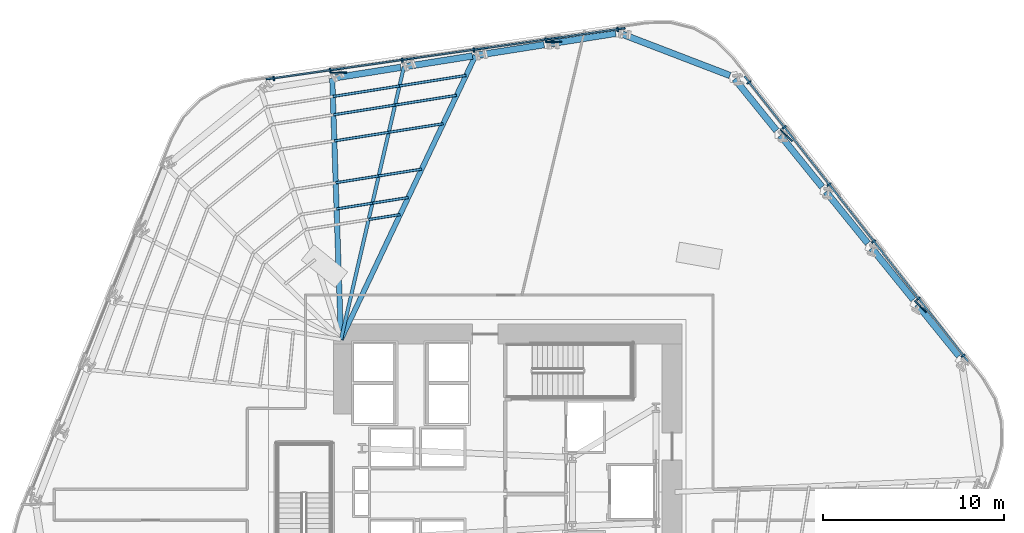
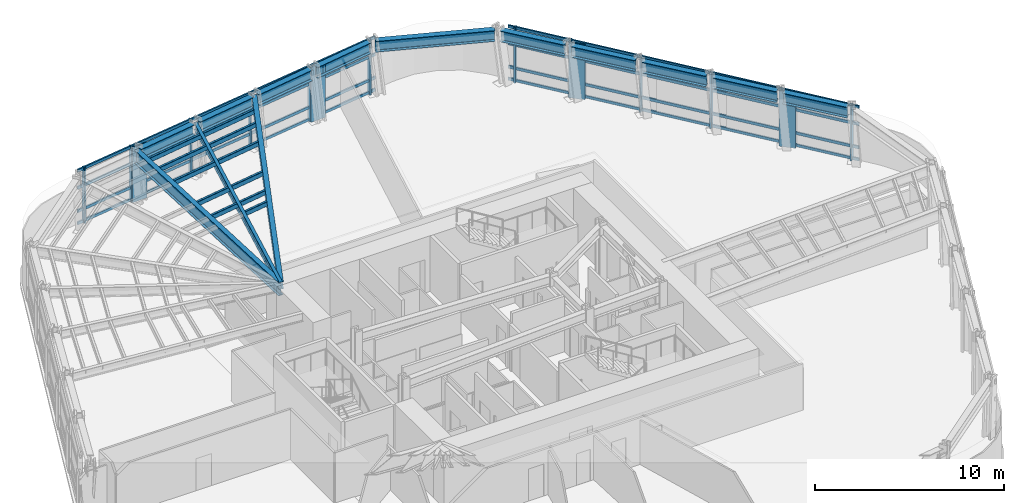
# One storey, part 6 of 16: 35 members, 13 beams, 2 elements without a shape of their own.
"""IFC4 building model written with IfcOpenShell, lengths in metres."""

from ifc_helpers import new_model, si_unit, direction, frame, origin, origin_2d, place, context, subcontext, project, spatial, rectangle, hollow_rectangle, i_section, extrude, material, layer, layer_set, material_profile, profile_set, type_object, element, aggregate, save


model = new_model("IFC4")

# Units and contexts
model_context = context("Model", 3, precision=1e-05, world=origin(), true_north=direction((0.0, 1.0)))
body_context = subcontext(model_context, "Body", "Model", "MODEL_VIEW")
ifc_project = project(units=[si_unit("LENGTHUNIT", "METRE"), si_unit("AREAUNIT", "SQUARE_METRE"), si_unit("VOLUMEUNIT", "CUBIC_METRE"), si_unit("PLANEANGLEUNIT", "RADIAN"), si_unit("MASSUNIT", "GRAM", prefix="KILO")], contexts=[model_context])

# Site, building, storey
site_placement = place(None, origin())
site = spatial("IfcSite", under=ifc_project, at=site_placement, CompositionType="ELEMENT")
building_placement = place(site_placement, origin())
building = spatial("IfcBuilding", under=site, at=building_placement, Name="Valkerne Bourse Tower", CompositionType="ELEMENT")
storey_placement = place(building_placement, frame((0.0, 0.0, 58.199951171875)))
storey = spatial("IfcBuildingStorey", under=building, at=storey_placement, Name="L14", CompositionType="ELEMENT", Elevation=58.199951171875)

# Beams
ifc_material_1 = material(Name="Steel ASTM A992", Category="steel")
ifc_material_profile_1 = material_profile(ifc_material_1, i_section(OverallWidth=0.1904296875, OverallDepth=0.457275390625, WebThickness=0.009033203125, FlangeThickness=0.014404296875, FilletRadius=0.01513671875, at=origin_2d()), Name="W18X50")
ifc_profile_set_1 = profile_set([ifc_material_profile_1], Name="Steel ASTM A992")
beam_type_1 = type_object("IfcBeamType", Name="BM-W18X50", PredefinedType="JOIST", material=ifc_profile_set_1)
beam_1_placement = place(storey_placement, frame((41.067138671875, 50.423828125, 3.3515625), z_axis=(-0.224858350284, -0.974391462559, 0.0), x_axis=(0.974391462559, -0.224858350284, 0.0)))
element("IfcBeam", 1, at=beam_1_placement, inside=storey, type_object=beam_type_1, Name="L14 Radial Composite Floor Beam 09", PredefinedType="JOIST", context=body_context, shape_type="SweptSolid", body=[
    extrude(i_section(OverallWidth=0.1904296875, OverallDepth=0.457275390625, WebThickness=0.009033203125, FlangeThickness=0.014404296875, FilletRadius=0.01513671875, at=origin_2d()), origin(), (0.0, 0.0, 1.0), 15.418701171875),
])
ifc_material_profile_2 = material_profile(ifc_material_1, i_section(OverallWidth=0.279296875, OverallDepth=0.46240234375, WebThickness=0.0107421875, FlangeThickness=0.017333984375, FilletRadius=0.017822265625, at=origin_2d()), Name="W18X76")
ifc_profile_set_2 = profile_set([ifc_material_profile_2], Name="Steel ASTM A992")
beam_type_2 = type_object("IfcBeamType", Name="BM-W18X76", PredefinedType="BEAM", material=ifc_profile_set_2)
beam_2_placement = place(storey_placement, frame((45.013916015625, 51.048828125, 3.348876953125), z_axis=(-0.428141495547, -0.903711712766, 0.0), x_axis=(0.903711712766, -0.428141495547, 0.0)))
element("IfcBeam", 2, at=beam_2_placement, inside=storey, type_object=beam_type_2, Name="L14 Radial Composite Floor Beam 08", PredefinedType="BEAM", context=body_context, shape_type="SweptSolid", body=[
    extrude(i_section(OverallWidth=0.279296875, OverallDepth=0.46240234375, WebThickness=0.0107421875, FlangeThickness=0.017333984375, FilletRadius=0.017822265625, at=origin_2d()), origin(), (0.0, 0.0, 1.0), 17.316162109375),
])
ifc_material_profile_3 = material_profile(ifc_material_1, i_section(OverallWidth=0.358154296875, OverallDepth=0.7060546875, WebThickness=0.018310546875, FlangeThickness=0.0302734375, FilletRadius=0.02294921875, at=origin_2d()), Name="W27X178")
ifc_profile_set_3 = profile_set([ifc_material_profile_3], Name="Steel ASTM A992")
beam_type_3 = type_object("IfcBeamType", Name="BM-W27X178", PredefinedType="SPANDREL", material=ifc_profile_set_3)
beam_3_placement = place(storey_placement, frame((71.656494140625, 34.492431640625, 3.22705078125), z_axis=(-0.629342299729, 0.777128219647, 0.0), x_axis=(-0.777128219647, -0.629342299729, 0.0)))
element("IfcBeam", 3, at=beam_3_placement, inside=storey, type_object=beam_type_3, Name="L14 Hexagonal Spandrel Ring Beam 00", PredefinedType="SPANDREL", context=body_context, shape_type="SweptSolid", body=[
    extrude(i_section(OverallWidth=0.358154296875, OverallDepth=0.7060546875, WebThickness=0.018310546875, FlangeThickness=0.0302734375, FilletRadius=0.02294921875, at=origin_2d()), origin(), (0.0, 0.0, 1.0), 3.65576171875),
])
for number, where, z_axis, x_axis, name in (
    (4, (69.1416015625, 37.597900390625, 3.22705078125), (-0.629309639735, 0.777154667577, 0.0), (-0.777154667577, -0.629309639735, 0.0), "L14 Hexagonal Spandrel Ring Beam 01"),
    (5, (66.626953125, 40.703369140625, 3.22705078125), (-0.629309639735, 0.777154667577, 0.0), (-0.777154667577, -0.629309639735, 0.0), "L14 Hexagonal Spandrel Ring Beam 02"),
    (6, (64.112060546875, 43.808837890625, 3.22705078125), (-0.629309639735, 0.777154667577, 0.0), (-0.777154667577, -0.629309639735, 0.0), "L14 Hexagonal Spandrel Ring Beam 03"),
    (7, (61.597412109375, 46.914306640625, 3.22705078125), (-0.629309639735, 0.777154667577, 0.0), (-0.777154667577, -0.629309639735, 0.0), "L14 Hexagonal Spandrel Ring Beam 04"),
):
    element("IfcBeam", number, at=place(storey_placement, frame(where, z_axis=z_axis, x_axis=x_axis)), inside=storey, type_object=beam_type_3, Name=name, PredefinedType="SPANDREL", context=body_context, shape_type="SweptSolid", body=[
        extrude(i_section(OverallWidth=0.358154296875, OverallDepth=0.7060546875, WebThickness=0.018310546875, FlangeThickness=0.0302734375, FilletRadius=0.02294921875, at=origin_2d()), origin(), (0.0, 0.0, 1.0), 3.656005859375),
    ])
beam_4_placement = place(storey_placement, frame((59.031005859375, 49.948486328125, 3.22705078125), z_axis=(-0.933574879404, 0.358382399883, 0.0), x_axis=(-0.358382399883, -0.933574879404, 0.0)))
element("IfcBeam", 8, at=beam_4_placement, inside=storey, type_object=beam_type_3, Name="L14 Hexagonal Spandrel Ring Beam 05", PredefinedType="SPANDREL", context=body_context, shape_type="SweptSolid", body=[
    extrude(i_section(OverallWidth=0.358154296875, OverallDepth=0.7060546875, WebThickness=0.018310546875, FlangeThickness=0.0302734375, FilletRadius=0.02294921875, at=origin_2d()), origin(), (0.0, 0.0, 1.0), 6.38916015625),
])
for number, where, z_axis, x_axis, name in (
    (9, (52.739501953125, 52.2724609375, 3.22705078125), (-0.987693559768, -0.156401508923, 0.0), (0.156401508923, -0.987693559768, 0.0), "L14 Hexagonal Spandrel Ring Beam 06"),
    (10, (48.792724609375, 51.6474609375, 3.22705078125), (-0.987683241587, -0.156466655513, 0.0), (0.156466655513, -0.987683241587, 0.0), "L14 Hexagonal Spandrel Ring Beam 07"),
    (11, (44.845947265625, 51.022216796875, 3.22705078125), (-0.987693559768, -0.156401508923, 0.0), (0.156401508923, -0.987693559768, 0.0), "L14 Hexagonal Spandrel Ring Beam 08"),
):
    element("IfcBeam", number, at=place(storey_placement, frame(where, z_axis=z_axis, x_axis=x_axis)), inside=storey, type_object=beam_type_3, Name=name, PredefinedType="SPANDREL", context=body_context, shape_type="SweptSolid", body=[
        extrude(i_section(OverallWidth=0.358154296875, OverallDepth=0.7060546875, WebThickness=0.018310546875, FlangeThickness=0.0302734375, FilletRadius=0.02294921875, at=origin_2d()), origin(), (0.0, 0.0, 1.0), 3.65576171875),
    ])
beam_5_placement = place(storey_placement, frame((40.899169921875, 50.397216796875, 3.22705078125), z_axis=(-0.987684876333, -0.156456335964, 0.0), x_axis=(0.156456335964, -0.987684876333, 0.0)))
element("IfcBeam", 12, at=beam_5_placement, inside=storey, type_object=beam_type_3, Name="L14 Hexagonal Spandrel Ring Beam 09", PredefinedType="SPANDREL", context=body_context, shape_type="SweptSolid", body=[
    extrude(i_section(OverallWidth=0.358154296875, OverallDepth=0.7060546875, WebThickness=0.018310546875, FlangeThickness=0.0302734375, FilletRadius=0.02294921875, at=origin_2d()), origin(), (0.0, 0.0, 1.0), 3.656005859375),
])
ifc_material_profile_4 = material_profile(ifc_material_1, i_section(OverallWidth=0.2919921875, OverallDepth=0.8583984375, WebThickness=0.01708984375, FlangeThickness=0.031005859375, FilletRadius=0.025390625, at=origin_2d()), Name="W33X169")
ifc_profile_set_4 = profile_set([ifc_material_profile_4], Name="Steel ASTM A992")
beam_type_4 = type_object("IfcBeamType", Name="BM-W33X169", PredefinedType="BEAM", material=ifc_profile_set_4)
beam_6_placement = place(storey_placement, frame((37.120361328125, 49.798583984375, 3.150634765625), z_axis=(0.033299595433, -0.99944541469, 0.0), x_axis=(0.99944541469, 0.033299595433, 0.0)))
element("IfcBeam", 13, at=beam_6_placement, inside=storey, type_object=beam_type_4, Name="L14 Radial Composite Floor Beam 10", PredefinedType="BEAM", context=body_context, shape_type="SweptSolid", body=[
    extrude(i_section(OverallWidth=0.2919921875, OverallDepth=0.8583984375, WebThickness=0.01708984375, FlangeThickness=0.031005859375, FilletRadius=0.025390625, at=origin_2d()), origin(), (0.0, 0.0, 1.0), 14.40673828125),
])

# Curtain wall, members
ifc_material_2 = material(Name="Aluminium AA 6063-T6", Category="aluminium")
ifc_layer = layer(ifc_material_2, 0.22509765625)
ifc_layer_set = layer_set([ifc_layer], Name="Aluminium AA 6063-T6")
curtain_wall_type = type_object("IfcCurtainWallType", Name="CW-01", PredefinedType="NOTDEFINED", material=ifc_layer_set)
curtain_wall_1_placement = place(storey_placement, origin())
curtain_wall_1 = element("IfcCurtainWall", 14, at=curtain_wall_1_placement, inside=storey, type_object=curtain_wall_type, Name="L14 Hexagonal Stick Curtain Wall Face 1", PredefinedType="NOTDEFINED")
ifc_material_profile_5 = material_profile(ifc_material_2, rectangle(XDim=0.090087890625, YDim=0.239990234375, at=origin_2d()), Name="CWM-90X240")
ifc_profile_set_5 = profile_set([ifc_material_profile_5], Name="Aluminium AA 6063-T6")
member_type_1 = type_object("IfcMemberType", Name="CW-MUL-240X90", PredefinedType="MULLION", material=ifc_profile_set_5)
member_1_placement = place(storey_placement, frame((71.884521484375, 34.507568359375, 0.0), z_axis=(0.0, 0.0, 1.0), x_axis=(-0.617050915686, 0.786923228435, 0.0)))
member_1 = element("IfcMember", 15, at=member_1_placement, type_object=member_type_1, Name="CW-L14-F1 Jamb Mullion 00A", PredefinedType="MULLION", context=body_context, shape_type="SweptSolid", body=[
    extrude(rectangle(XDim=0.090087890625, YDim=0.239990234375, at=origin_2d()), origin(), (0.0, 0.0, 1.0), 3.580078125),
])
member_2_placement = place(storey_placement, frame((69.418701171875, 37.652099609375, 0.0), z_axis=(0.0, 0.0, 1.0), x_axis=(-0.617038764225, 0.786932756621, 0.0)))
member_2 = element("IfcMember", 16, at=member_2_placement, type_object=member_type_1, Name="CW-L14-F1 Jamb Mullion 01A", PredefinedType="MULLION", context=body_context, shape_type="SweptSolid", body=[
    extrude(rectangle(XDim=0.090087890625, YDim=0.239990234375, at=origin_2d()), origin(), (0.0, 0.0, 1.0), 3.580078125),
])
member_3_placement = place(storey_placement, frame((66.952880859375, 40.796630859375, 0.0), z_axis=(0.0, 0.0, 1.0), x_axis=(-0.617038764225, 0.786932756621, 0.0)))
member_3 = element("IfcMember", 17, at=member_3_placement, type_object=member_type_1, Name="CW-L14-F1 Jamb Mullion 02A", PredefinedType="MULLION", context=body_context, shape_type="SweptSolid", body=[
    extrude(rectangle(XDim=0.090087890625, YDim=0.239990234375, at=origin_2d()), origin(), (0.0, 0.0, 1.0), 3.580078125),
])
member_4_placement = place(storey_placement, frame((64.4873046875, 43.94140625, 0.0), z_axis=(0.0, 0.0, 1.0), x_axis=(-0.617023266871, 0.786944907945, 0.0)))
member_4 = element("IfcMember", 18, at=member_4_placement, type_object=member_type_1, Name="CW-L14-F1 Jamb Mullion 03A", PredefinedType="MULLION", context=body_context, shape_type="SweptSolid", body=[
    extrude(rectangle(XDim=0.090087890625, YDim=0.239990234375, at=origin_2d()), origin(), (0.0, 0.0, 1.0), 3.580078125),
])
member_5_placement = place(storey_placement, frame((62.021728515625, 47.0859375, 0.0), z_axis=(0.0, 0.0, 1.0), x_axis=(-0.617038764225, 0.786932756621, 0.0)))
member_5 = element("IfcMember", 19, at=member_5_placement, type_object=member_type_1, Name="CW-L14-F1 Jamb Mullion 04A", PredefinedType="MULLION", context=body_context, shape_type="SweptSolid", body=[
    extrude(rectangle(XDim=0.090087890625, YDim=0.239990234375, at=origin_2d()), origin(), (0.0, 0.0, 1.0), 3.580078125),
])
member_6_placement = place(storey_placement, frame((60.07421875, 49.569580078125, 0.0), z_axis=(0.0, 0.0, 1.0), x_axis=(-0.617038764225, 0.786932756621, 0.0)))
member_6 = element("IfcMember", 20, at=member_6_placement, type_object=member_type_1, Name="CW-L14-F1 Jamb Mullion 04B", PredefinedType="MULLION", context=body_context, shape_type="SweptSolid", body=[
    extrude(rectangle(XDim=0.090087890625, YDim=0.239990234375, at=origin_2d()), origin(), (0.0, 0.0, 1.0), 3.580078125),
])

curtain_wall_2_placement = place(storey_placement, origin())
curtain_wall_2 = element("IfcCurtainWall", 21, at=curtain_wall_2_placement, inside=storey, type_object=curtain_wall_type, Name="L14 Hexagonal Stick Curtain Wall Face 2", PredefinedType="NOTDEFINED")
member_7_placement = place(storey_placement, frame((52.840576171875, 52.4775390625, 0.0), z_axis=(0.0, 0.0, 1.0), x_axis=(-0.990021934564, -0.140913338908, 0.0)))
member_7 = element("IfcMember", 22, at=member_7_placement, type_object=member_type_1, Name="CW-L14-F2 Jamb Mullion 00A", PredefinedType="MULLION", context=body_context, shape_type="SweptSolid", body=[
    extrude(rectangle(XDim=0.090087890625, YDim=0.239990234375, at=origin_2d()), origin(), (0.0, 0.0, 1.0), 3.580078125),
])
member_8_placement = place(storey_placement, frame((48.88427734375, 51.914306640625, 0.0), z_axis=(0.0, 0.0, 1.0), x_axis=(-0.990024928635, -0.14089230171, 0.0)))
member_8 = element("IfcMember", 23, at=member_8_placement, type_object=member_type_1, Name="CW-L14-F2 Jamb Mullion 01A", PredefinedType="MULLION", context=body_context, shape_type="SweptSolid", body=[
    extrude(rectangle(XDim=0.090087890625, YDim=0.239990234375, at=origin_2d()), origin(), (0.0, 0.0, 1.0), 3.580078125),
])
member_9_placement = place(storey_placement, frame((44.92822265625, 51.351318359375, 0.0), z_axis=(0.0, 0.0, 1.0), x_axis=(-0.990021437646, -0.140916830088, 0.0)))
member_9 = element("IfcMember", 24, at=member_9_placement, type_object=member_type_1, Name="CW-L14-F2 Jamb Mullion 02A", PredefinedType="MULLION", context=body_context, shape_type="SweptSolid", body=[
    extrude(rectangle(XDim=0.090087890625, YDim=0.239990234375, at=origin_2d()), origin(), (0.0, 0.0, 1.0), 3.580078125),
])
member_10_placement = place(storey_placement, frame((40.97216796875, 50.788330078125, 0.0), z_axis=(0.0, 0.0, 1.0), x_axis=(-0.990025425383, -0.140888811104, 0.0)))
member_10 = element("IfcMember", 25, at=member_10_placement, type_object=member_type_1, Name="CW-L14-F2 Jamb Mullion 03A", PredefinedType="MULLION", context=body_context, shape_type="SweptSolid", body=[
    extrude(rectangle(XDim=0.090087890625, YDim=0.239990234375, at=origin_2d()), origin(), (0.0, 0.0, 1.0), 3.580078125),
])
member_11_placement = place(storey_placement, frame((37.015869140625, 50.225341796875, 0.0), z_axis=(0.0, 0.0, 1.0), x_axis=(-0.990021437646, -0.140916830088, 0.0)))
member_11 = element("IfcMember", 26, at=member_11_placement, type_object=member_type_1, Name="CW-L14-F2 Jamb Mullion 04A", PredefinedType="MULLION", context=body_context, shape_type="SweptSolid", body=[
    extrude(rectangle(XDim=0.090087890625, YDim=0.239990234375, at=origin_2d()), origin(), (0.0, 0.0, 1.0), 3.580078125),
])
member_12_placement = place(storey_placement, frame((33.891357421875, 49.780517578125, 0.0), z_axis=(0.0, 0.0, 1.0), x_axis=(-0.990021437646, -0.140916830088, 0.0)))
member_12 = element("IfcMember", 27, at=member_12_placement, type_object=member_type_1, Name="CW-L14-F2 Jamb Mullion 04B", PredefinedType="MULLION", context=body_context, shape_type="SweptSolid", body=[
    extrude(rectangle(XDim=0.090087890625, YDim=0.239990234375, at=origin_2d()), origin(), (0.0, 0.0, 1.0), 3.580078125),
])

# Member
ifc_material_profile_6 = material_profile(ifc_material_2, rectangle(XDim=0.090087890625, YDim=0.179931640625, at=origin_2d()), Name="CWT-90X180")
ifc_profile_set_6 = profile_set([ifc_material_profile_6], Name="Aluminium AA 6063-T6")
member_type_2 = type_object("IfcMemberType", Name="CW-TRN-180X90", PredefinedType="USERDEFINED", material=ifc_profile_set_6)
member_13_placement = place(storey_placement, frame((72.1591796875, 34.189453125, 0.1201171875), z_axis=(-0.617037129125, 0.786934038711, 0.0), x_axis=(-0.786934038711, -0.617037129125, 0.0)))
member_13 = element("IfcMember", 28, at=member_13_placement, type_object=member_type_2, Name="CW-L14-F1 Continuous Face Transom 1", ObjectType="TRANSOM", PredefinedType="USERDEFINED", context=body_context, shape_type="SweptSolid", body=[
    extrude(rectangle(XDim=0.090087890625, YDim=0.179931640625, at=origin_2d()), origin(), (0.0, 0.0, 1.0), 19.97998046875),
])

member_14_placement = place(storey_placement, frame((72.1591796875, 34.189453125, 0.900146484375), z_axis=(-0.617037129125, 0.786934038711, 0.0), x_axis=(-0.786934038711, -0.617037129125, 0.0)))
member_14 = element("IfcMember", 29, at=member_14_placement, type_object=member_type_2, Name="CW-L14-F1 Continuous Face Transom 2", ObjectType="TRANSOM", PredefinedType="USERDEFINED", context=body_context, shape_type="SweptSolid", body=[
    extrude(rectangle(XDim=0.090087890625, YDim=0.179931640625, at=origin_2d()), origin(), (0.0, 0.0, 1.0), 19.97998046875),
])

member_15_placement = place(storey_placement, frame((72.1591796875, 34.189453125, 2.400146484375), z_axis=(-0.617037129125, 0.786934038711, 0.0), x_axis=(-0.786934038711, -0.617037129125, 0.0)))
member_15 = element("IfcMember", 30, at=member_15_placement, type_object=member_type_2, Name="CW-L14-F1 Continuous Face Transom 3", ObjectType="TRANSOM", PredefinedType="USERDEFINED", context=body_context, shape_type="SweptSolid", body=[
    extrude(rectangle(XDim=0.090087890625, YDim=0.179931640625, at=origin_2d()), origin(), (0.0, 0.0, 1.0), 19.97998046875),
])

member_16_placement = place(storey_placement, frame((72.1591796875, 34.189453125, 3.5), z_axis=(-0.617037129125, 0.786934038711, 0.0), x_axis=(-0.786934038711, -0.617037129125, 0.0)))
member_16 = element("IfcMember", 31, at=member_16_placement, type_object=member_type_2, Name="CW-L14-F1 Continuous Face Transom 4", ObjectType="TRANSOM", PredefinedType="USERDEFINED", context=body_context, shape_type="SweptSolid", body=[
    extrude(rectangle(XDim=0.090087890625, YDim=0.179931640625, at=origin_2d()), origin(), (0.0, 0.0, 1.0), 19.97998046875),
])

aggregate(curtain_wall_1, [member_13, member_14, member_15, member_16, member_1, member_2, member_3, member_4, member_5, member_6])

member_17_placement = place(storey_placement, frame((53.25341796875, 52.556396484375, 0.1201171875), z_axis=(-0.990023650685, -0.140901281347, 0.0), x_axis=(0.140901281347, -0.990023650685, 0.0)))
member_17 = element("IfcMember", 32, at=member_17_placement, type_object=member_type_2, Name="CW-L14-F2 Continuous Face Transom 1", ObjectType="TRANSOM", PredefinedType="USERDEFINED", context=body_context, shape_type="SweptSolid", body=[
    extrude(rectangle(XDim=0.090087890625, YDim=0.179931640625, at=origin_2d()), origin(), (0.0, 0.0, 1.0), 19.979736328125),
])

member_18_placement = place(storey_placement, frame((53.25341796875, 52.556396484375, 0.900146484375), z_axis=(-0.990023650685, -0.140901281347, 0.0), x_axis=(0.140901281347, -0.990023650685, 0.0)))
member_18 = element("IfcMember", 33, at=member_18_placement, type_object=member_type_2, Name="CW-L14-F2 Continuous Face Transom 2", ObjectType="TRANSOM", PredefinedType="USERDEFINED", context=body_context, shape_type="SweptSolid", body=[
    extrude(rectangle(XDim=0.090087890625, YDim=0.179931640625, at=origin_2d()), origin(), (0.0, 0.0, 1.0), 19.979736328125),
])

member_19_placement = place(storey_placement, frame((53.25341796875, 52.556396484375, 2.400146484375), z_axis=(-0.990023650685, -0.140901281347, 0.0), x_axis=(0.140901281347, -0.990023650685, 0.0)))
member_19 = element("IfcMember", 34, at=member_19_placement, type_object=member_type_2, Name="CW-L14-F2 Continuous Face Transom 3", ObjectType="TRANSOM", PredefinedType="USERDEFINED", context=body_context, shape_type="SweptSolid", body=[
    extrude(rectangle(XDim=0.090087890625, YDim=0.179931640625, at=origin_2d()), origin(), (0.0, 0.0, 1.0), 19.979736328125),
])

member_20_placement = place(storey_placement, frame((53.25341796875, 52.556396484375, 3.5), z_axis=(-0.990023650685, -0.140901281347, 0.0), x_axis=(0.140901281347, -0.990023650685, 0.0)))
member_20 = element("IfcMember", 35, at=member_20_placement, type_object=member_type_2, Name="CW-L14-F2 Continuous Face Transom 4", ObjectType="TRANSOM", PredefinedType="USERDEFINED", context=body_context, shape_type="SweptSolid", body=[
    extrude(rectangle(XDim=0.090087890625, YDim=0.179931640625, at=origin_2d()), origin(), (0.0, 0.0, 1.0), 19.979736328125),
])

aggregate(curtain_wall_2, [member_17, member_18, member_19, member_20, member_7, member_8, member_9, member_10, member_11, member_12])

# Members
ifc_material_3 = material(Name="Bronze Anodised Aluminium AA 6063-T6", Category="aluminium")
ifc_material_profile_7 = material_profile(ifc_material_3, rectangle(XDim=0.070068359375, YDim=0.89990234375, at=origin_2d()), Name="FIN-70X900")
ifc_profile_set_7 = profile_set([ifc_material_profile_7], Name="Bronze Anodised Aluminium AA 6063-T6")
member_type_3 = type_object("IfcMemberType", Name="FIN-SOLAR-900", PredefinedType="USERDEFINED", material=ifc_profile_set_7)
for number, where, z_axis, x_axis, name in (
    (36, (69.5361328125, 37.21044921875, 0.004150390625), (0.0, 0.0, 1.0), (0.703521928101, 0.710673551415, 0.0), "L14 Bronze Anodised Solar Fin F1-01"),
    (37, (62.13916015625, 46.644287109375, 0.004150390625), (0.0, 0.0, 1.0), (0.703521928101, 0.710673551415, 0.0), "L14 Bronze Anodised Solar Fin F1-04"),
    (38, (49.325439453125, 51.79541015625, 0.004150390625), (0.0, 0.0, 1.0), (-0.022528517745, 0.999746200737, 0.0), "L14 Bronze Anodised Solar Fin F2-01"),
    (39, (37.45703125, 50.106201171875, 0.004150390625), (0.0, 0.0, 1.0), (-0.022547998716, 0.999745761558, 0.0), "L14 Bronze Anodised Solar Fin F2-04"),
):
    element("IfcMember", number, at=place(storey_placement, frame(where, z_axis=z_axis, x_axis=x_axis)), inside=storey, type_object=member_type_3, Name=name, ObjectType="SOLAR_FIN", PredefinedType="USERDEFINED", context=body_context, shape_type="SweptSolid", body=[
        extrude(rectangle(XDim=0.070068359375, YDim=0.89990234375, at=origin_2d()), origin(), (0.0, 0.0, 1.0), 3.57177734375),
    ])
ifc_material_4 = material(Name="Steel ASTM A500 Grade C", Category="steel")
ifc_material_profile_8 = material_profile(ifc_material_4, hollow_rectangle(XDim=0.14990234375, YDim=0.300048828125, WallThickness=0.012451171875, OuterFilletRadius=0.02490234375, at=origin_2d()), Name="HSS300X150X12.5")
ifc_profile_set_8 = profile_set([ifc_material_profile_8], Name="Steel ASTM A500 Grade C")
member_type_4 = type_object("IfcMemberType", Name="MBR-HSS300X150X12.5", PredefinedType="PURLIN", material=ifc_profile_set_8)
member_21_placement = place(storey_placement, frame((40.862060546875, 42.285400390625, 3.420166015625), z_axis=(-0.98770096406, -0.156354742799, 0.0), x_axis=(0.156354742799, -0.98770096406, 0.0)))
element("IfcMember", 40, at=member_21_placement, inside=storey, type_object=member_type_4, Name="L14 Secondary Composite Floor Purlin K-08", PredefinedType="PURLIN", context=body_context, shape_type="SweptSolid", body=[
    extrude(hollow_rectangle(XDim=0.14990234375, YDim=0.300048828125, WallThickness=0.012451171875, OuterFilletRadius=0.02490234375, at=origin_2d()), origin(), (0.0, 0.0, 1.0), 1.75830078125),
])
for number, where, z_axis, x_axis, name in (
    (41, (41.306884765625, 43.224609375, 3.420166015625), (-0.987673637151, -0.156527270715, 0.0), (0.156527270715, -0.987673637151, 0.0), "L14 Secondary Composite Floor Purlin M-08"),
    (42, (39.33349609375, 42.911865234375, 3.420166015625), (-0.987692520858, -0.156408069615, 0.0), (0.156408069615, -0.987692520858, 0.0), "L14 Secondary Composite Floor Purlin M-09"),
):
    element("IfcMember", number, at=place(storey_placement, frame(where, z_axis=z_axis, x_axis=x_axis)), inside=storey, type_object=member_type_4, Name=name, PredefinedType="PURLIN", context=body_context, shape_type="SweptSolid", body=[
        extrude(hollow_rectangle(XDim=0.14990234375, YDim=0.300048828125, WallThickness=0.012451171875, OuterFilletRadius=0.02490234375, at=origin_2d()), origin(), (0.0, 0.0, 1.0), 1.998046875),
    ])
member_22_placement = place(storey_placement, frame((43.234619140625, 47.293212890625, 3.420166015625), z_axis=(-0.987687237994, -0.156441426431, 0.0), x_axis=(0.156441426431, -0.987687237994, 0.0)))
element("IfcMember", 43, at=member_22_placement, inside=storey, type_object=member_type_4, Name="L14 Secondary Composite Floor Purlin O-08", PredefinedType="PURLIN", context=body_context, shape_type="SweptSolid", body=[
    extrude(hollow_rectangle(XDim=0.14990234375, YDim=0.300048828125, WallThickness=0.012451171875, OuterFilletRadius=0.02490234375, at=origin_2d()), origin(), (0.0, 0.0, 1.0), 3.036865234375),
])
member_23_placement = place(storey_placement, frame((40.235107421875, 46.818115234375, 3.420166015625), z_axis=(-0.987689205249, -0.156429005731, 0.0), x_axis=(0.156429005731, -0.987689205249, 0.0)))
element("IfcMember", 44, at=member_23_placement, inside=storey, type_object=member_type_4, Name="L14 Secondary Composite Floor Purlin O-09", PredefinedType="PURLIN", context=body_context, shape_type="SweptSolid", body=[
    extrude(hollow_rectangle(XDim=0.14990234375, YDim=0.300048828125, WallThickness=0.012451171875, OuterFilletRadius=0.02490234375, at=origin_2d()), origin(), (0.0, 0.0, 1.0), 3.037109375),
])
member_24_placement = place(storey_placement, frame((42.04833984375, 44.789306640625, 3.420166015625), z_axis=(-0.98769102608, -0.156417508615, 0.0), x_axis=(0.156417508615, -0.98769102608, 0.0)))
element("IfcMember", 45, at=member_24_placement, inside=storey, type_object=member_type_4, Name="L14 Secondary Composite Floor Purlin Z-08", PredefinedType="PURLIN", context=body_context, shape_type="SweptSolid", body=[
    extrude(hollow_rectangle(XDim=0.14990234375, YDim=0.300048828125, WallThickness=0.012451171875, OuterFilletRadius=0.02490234375, at=origin_2d()), origin(), (0.0, 0.0, 1.0), 2.3974609375),
])
member_25_placement = place(storey_placement, frame((39.680419921875, 44.414306640625, 3.420166015625), z_axis=(-0.987693517227, -0.156401777573, 0.0), x_axis=(0.156401777573, -0.987693517227, 0.0)))
element("IfcMember", 46, at=member_25_placement, inside=storey, type_object=member_type_4, Name="L14 Secondary Composite Floor Purlin Z-09", PredefinedType="PURLIN", context=body_context, shape_type="SweptSolid", body=[
    extrude(hollow_rectangle(XDim=0.14990234375, YDim=0.300048828125, WallThickness=0.012451171875, OuterFilletRadius=0.02490234375, at=origin_2d()), origin(), (0.0, 0.0, 1.0), 2.397705078125),
])
for number, where, z_axis, x_axis, name in (
    (47, (43.97607421875, 48.858154296875, 3.420166015625), (-0.987688547763, -0.156433157029, 0.0), (0.156433157029, -0.987688547763, 0.0), "L14 Secondary Composite Floor Purlin T-08"),
    (48, (40.581787109375, 48.320556640625, 3.420166015625), (-0.987688547763, -0.156433157029, 0.0), (0.156433157029, -0.987688547763, 0.0), "L14 Secondary Composite Floor Purlin T-09"),
):
    element("IfcMember", number, at=place(storey_placement, frame(where, z_axis=z_axis, x_axis=x_axis)), inside=storey, type_object=member_type_4, Name=name, PredefinedType="PURLIN", context=body_context, shape_type="SweptSolid", body=[
        extrude(hollow_rectangle(XDim=0.14990234375, YDim=0.300048828125, WallThickness=0.012451171875, OuterFilletRadius=0.02490234375, at=origin_2d()), origin(), (0.0, 0.0, 1.0), 3.4365234375),
    ])
for number, where, z_axis, x_axis, name in (
    (49, (44.494873046875, 49.95361328125, 3.420166015625), (-0.987679728055, -0.156488832794, 0.0), (0.156488832794, -0.987679728055, 0.0), "L14 Secondary Composite Floor Purlin U-08"),
    (50, (40.824462890625, 49.3720703125, 3.420166015625), (-0.987691487538, -0.156414594734, 0.0), (0.156414594734, -0.987691487538, 0.0), "L14 Secondary Composite Floor Purlin U-09"),
):
    element("IfcMember", number, at=place(storey_placement, frame(where, z_axis=z_axis, x_axis=x_axis)), inside=storey, type_object=member_type_4, Name=name, PredefinedType="PURLIN", context=body_context, shape_type="SweptSolid", body=[
        extrude(hollow_rectangle(XDim=0.14990234375, YDim=0.300048828125, WallThickness=0.012451171875, OuterFilletRadius=0.02490234375, at=origin_2d()), origin(), (0.0, 0.0, 1.0), 3.71630859375),
    ])

save(model, "model.ifc")
